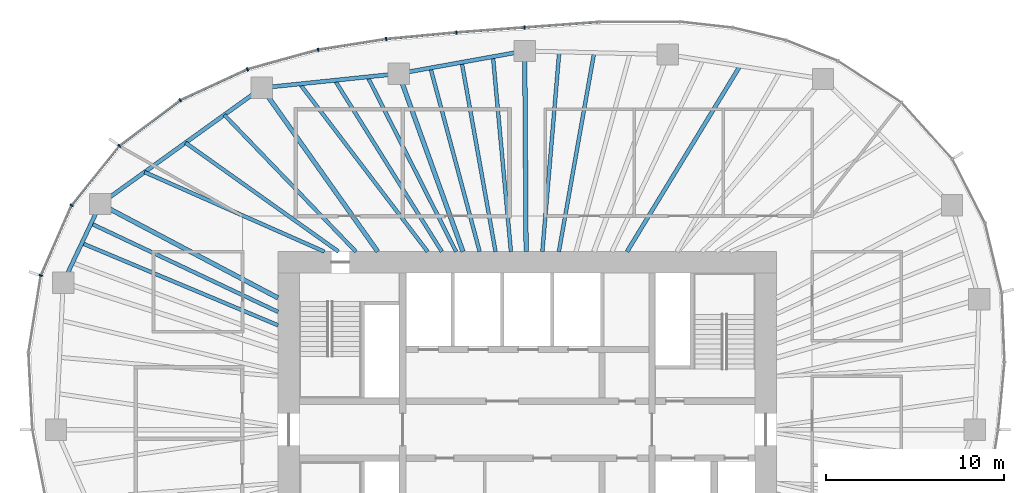
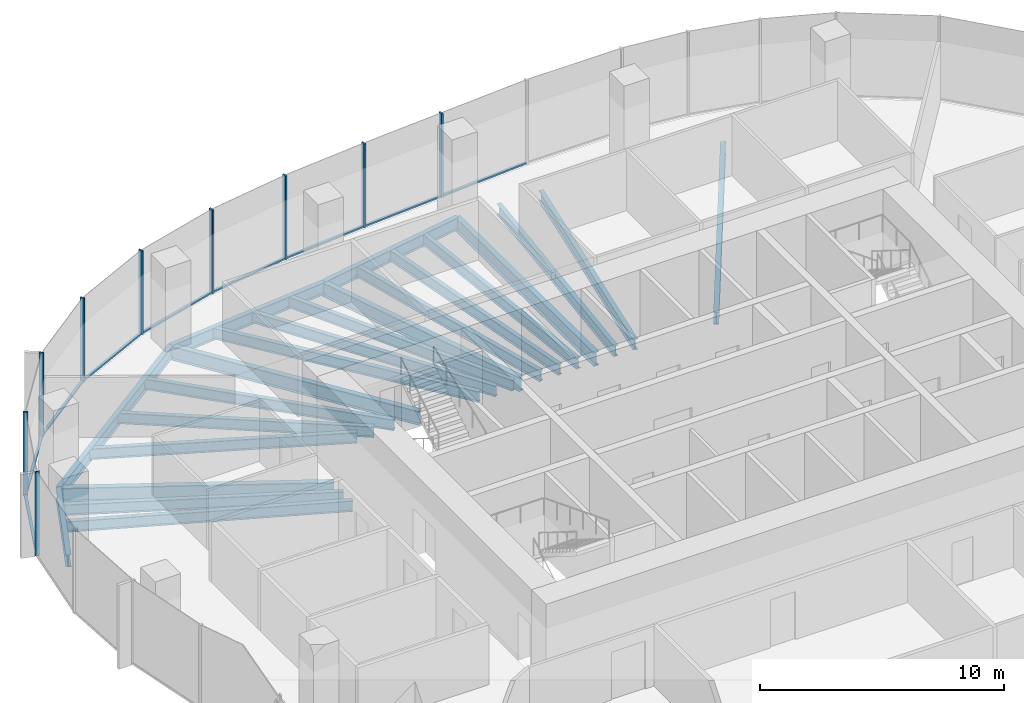
# One storey, part 5 of 11: 22 beams, 18 members, 6 elements without a shape of their own.
"""IFC4 building model written with IfcOpenShell, lengths in metres."""

from ifc_helpers import new_model, si_unit, direction, frame, origin, origin_2d, place, context, subcontext, project, spatial, rectangle, i_section, extrude, material, material_profile, profile_set, type_object, element, aggregate, save


model = new_model("IFC4")

# Units and contexts
model_context = context("Model", 3, precision=1e-05, world=origin(), true_north=direction((0.0, 1.0)))
body_context = subcontext(model_context, "Body", "Model", "MODEL_VIEW")
ifc_project = project(units=[si_unit("LENGTHUNIT", "METRE"), si_unit("AREAUNIT", "SQUARE_METRE"), si_unit("VOLUMEUNIT", "CUBIC_METRE"), si_unit("PLANEANGLEUNIT", "RADIAN"), si_unit("MASSUNIT", "GRAM", prefix="KILO")], contexts=[model_context])

# Site, building, storey
site_placement = place(None, origin())
site = spatial("IfcSite", under=ifc_project, at=site_placement, CompositionType="ELEMENT")
building_placement = place(site_placement, origin())
building = spatial("IfcBuilding", under=site, at=building_placement, Name="Ghaith Harvest Tower", CompositionType="ELEMENT")
storey_placement = place(building_placement, frame((0.0, 0.0, 245.199951171875)))
storey = spatial("IfcBuildingStorey", under=building, at=storey_placement, Name="L54", CompositionType="ELEMENT", Elevation=245.199951171875)

# Curtain wall, members
ifc_material_1 = material(Name="Black anodised aluminium and fritted glass", Category="aluminium")
curtain_wall_type = type_object("IfcCurtainWallType", Name="CW-H CURTAIN WALL", PredefinedType="NOTDEFINED", material=ifc_material_1)
curtain_wall_1_placement = place(storey_placement, origin())
curtain_wall_1 = element("IfcCurtainWall", 1, at=curtain_wall_1_placement, inside=storey, type_object=curtain_wall_type, Name="Curtain wall CW-H bay 06 L54", PredefinedType="NOTDEFINED")
ifc_material_2 = material(Name="Aluminium, black anodised", Category="aluminium")
ifc_material_profile_1 = material_profile(ifc_material_2, rectangle(XDim=0.080078125, YDim=0.199951171875, at=origin_2d()), Name="CW-H MULLION 80x200")
ifc_profile_set_1 = profile_set([ifc_material_profile_1], Name="Aluminium, black anodised")
member_type_1 = type_object("IfcMemberType", Name="CW-H MULLION 80x200", PredefinedType="MULLION", material=ifc_profile_set_1)
member_1_placement = place(storey_placement, frame((-0.154541015625, 22.590576171875, 0.0), z_axis=(0.0, 0.0, 1.0), x_axis=(-0.997329249665, -0.073036756239, 0.0)))
member_1 = element("IfcMember", 2, at=member_1_placement, type_object=member_type_1, Name="CW-H mullion 1 bay 06 L54", PredefinedType="MULLION", context=body_context, shape_type="SweptSolid", body=[
    extrude(rectangle(XDim=0.080078125, YDim=0.199951171875, at=origin_2d()), origin(), (0.0, 0.0, 1.0), 4.199951171875),
])
member_2_placement = place(storey_placement, frame((-3.984375, 22.310302734375, 0.0), z_axis=(0.0, 0.0, 1.0), x_axis=(-0.996522526822, -0.083323787336, 0.0)))
member_2 = element("IfcMember", 3, at=member_2_placement, type_object=member_type_1, Name="CW-H mullion 2 bay 06 L54", PredefinedType="MULLION", context=body_context, shape_type="SweptSolid", body=[
    extrude(rectangle(XDim=0.080078125, YDim=0.199951171875, at=origin_2d()), origin(), (0.0, 0.0, 1.0), 4.199951171875),
])

curtain_wall_2_placement = place(storey_placement, origin())
curtain_wall_2 = element("IfcCurtainWall", 4, at=curtain_wall_2_placement, inside=storey, type_object=curtain_wall_type, Name="Curtain wall CW-H bay 07 L54", PredefinedType="NOTDEFINED")
member_3_placement = place(storey_placement, frame((-7.924560546875, 21.94091796875, 0.0), z_axis=(0.0, 0.0, 1.0), x_axis=(-0.992235485325, -0.124373396119, 0.0)))
member_3 = element("IfcMember", 5, at=member_3_placement, type_object=member_type_1, Name="CW-H mullion 1 bay 07 L54", PredefinedType="MULLION", context=body_context, shape_type="SweptSolid", body=[
    extrude(rectangle(XDim=0.080078125, YDim=0.199951171875, at=origin_2d()), origin(), (0.0, 0.0, 1.0), 4.199951171875),
])
member_4_placement = place(storey_placement, frame((-11.75244140625, 21.336669921875, 0.0), z_axis=(0.0, 0.0, 1.0), x_axis=(-0.977086484172, -0.212842670646, 0.0)))
member_4 = element("IfcMember", 6, at=member_4_placement, type_object=member_type_1, Name="CW-H mullion 2 bay 07 L54", PredefinedType="MULLION", context=body_context, shape_type="SweptSolid", body=[
    extrude(rectangle(XDim=0.080078125, YDim=0.199951171875, at=origin_2d()), origin(), (0.0, 0.0, 1.0), 4.199951171875),
])

curtain_wall_3_placement = place(storey_placement, origin())
curtain_wall_3 = element("IfcCurtainWall", 7, at=curtain_wall_3_placement, inside=storey, type_object=curtain_wall_type, Name="Curtain wall CW-H bay 08 L54", PredefinedType="NOTDEFINED")
member_5_placement = place(storey_placement, frame((-15.720947265625, 20.242431640625, 0.0), z_axis=(0.0, 0.0, 1.0), x_axis=(-0.938930986476, -0.344105510906, 0.0)))
member_5 = element("IfcMember", 8, at=member_5_placement, type_object=member_type_1, Name="CW-H mullion 1 bay 08 L54", PredefinedType="MULLION", context=body_context, shape_type="SweptSolid", body=[
    extrude(rectangle(XDim=0.080078125, YDim=0.199951171875, at=origin_2d()), origin(), (0.0, 0.0, 1.0), 4.199951171875),
])
member_6_placement = place(storey_placement, frame((-19.4951171875, 18.4990234375, 0.0), z_axis=(0.0, 0.0, 1.0), x_axis=(-0.857998754004, -0.513651767376, 0.0)))
member_6 = element("IfcMember", 9, at=member_6_placement, type_object=member_type_1, Name="CW-H mullion 2 bay 08 L54", PredefinedType="MULLION", context=body_context, shape_type="SweptSolid", body=[
    extrude(rectangle(XDim=0.080078125, YDim=0.199951171875, at=origin_2d()), origin(), (0.0, 0.0, 1.0), 4.199951171875),
])

curtain_wall_4_placement = place(storey_placement, origin())
curtain_wall_4 = element("IfcCurtainWall", 10, at=curtain_wall_4_placement, inside=storey, type_object=curtain_wall_type, Name="Curtain wall CW-H bay 09 L54", PredefinedType="NOTDEFINED")
member_7_placement = place(storey_placement, frame((-22.908203125, 15.939697265625, 0.0), z_axis=(0.0, 0.0, 1.0), x_axis=(-0.719146135082, -0.694858860774, 0.0)))
member_7 = element("IfcMember", 11, at=member_7_placement, type_object=member_type_1, Name="CW-H mullion 1 bay 09 L54", PredefinedType="MULLION", context=body_context, shape_type="SweptSolid", body=[
    extrude(rectangle(XDim=0.080078125, YDim=0.199951171875, at=origin_2d()), origin(), (0.0, 0.0, 1.0), 4.199951171875),
])
member_8_placement = place(storey_placement, frame((-25.599609375, 12.6005859375, 0.0), z_axis=(0.0, 0.0, 1.0), x_axis=(-0.518769201232, -0.854914332464, 0.0)))
member_8 = element("IfcMember", 12, at=member_8_placement, type_object=member_type_1, Name="CW-H mullion 2 bay 09 L54", PredefinedType="MULLION", context=body_context, shape_type="SweptSolid", body=[
    extrude(rectangle(XDim=0.080078125, YDim=0.199951171875, at=origin_2d()), origin(), (0.0, 0.0, 1.0), 4.199951171875),
])

# Curtain wall, member
curtain_wall_5_placement = place(storey_placement, origin())
curtain_wall_5 = element("IfcCurtainWall", 13, at=curtain_wall_5_placement, inside=storey, type_object=curtain_wall_type, Name="Curtain wall CW-H bay 10 L54", PredefinedType="NOTDEFINED")
member_9_placement = place(storey_placement, frame((-27.32568359375, 8.659912109375, 0.0), z_axis=(0.0, 0.0, 1.0), x_axis=(-0.280520268431, -0.959848102045, 0.0)))
member_9 = element("IfcMember", 14, at=member_9_placement, type_object=member_type_1, Name="CW-H mullion 1 bay 10 L54", PredefinedType="MULLION", context=body_context, shape_type="SweptSolid", body=[
    extrude(rectangle(XDim=0.080078125, YDim=0.199951171875, at=origin_2d()), origin(), (0.0, 0.0, 1.0), 4.199951171875),
])
aggregate(curtain_wall_5, [member_9])

curtain_wall_6_placement = place(storey_placement, origin())
curtain_wall_6 = element("IfcCurtainWall", 15, at=curtain_wall_6_placement, inside=storey, type_object=curtain_wall_type, Name="Curtain wall CW-H bay 05 L54", PredefinedType="NOTDEFINED")
ifc_material_3 = material(Name="Aluminium, black anodised", Category="aluminium")
ifc_material_profile_2 = material_profile(ifc_material_3, rectangle(XDim=0.1298828125, YDim=0.080078125, at=origin_2d()), Name="CW-H TRANSOM 130x80")
ifc_profile_set_2 = profile_set([ifc_material_profile_2], Name="Aluminium, black anodised")
member_type_2 = type_object("IfcMemberType", Name="CW-H TRANSOM 130x80", PredefinedType="USERDEFINED", material=ifc_profile_set_2)
member_10_placement = place(storey_placement, frame((4.01953125, 22.896484375, 0.0400390625), z_axis=(-0.997325457985, -0.07308851384, 0.0), x_axis=(0.07308851384, -0.997325457985, 0.0)))
member_10 = element("IfcMember", 16, at=member_10_placement, type_object=member_type_2, Name="CW-H transom 2 bay 05 L54", ObjectType="TRANSOM", PredefinedType="USERDEFINED", context=body_context, shape_type="SweptSolid", body=[
    extrude(rectangle(XDim=0.1298828125, YDim=0.080078125, at=origin_2d()), origin(), (0.0, 0.0, 1.0), 4.145263671875),
])
aggregate(curtain_wall_6, [member_10])

# Member
member_11_placement = place(storey_placement, frame((-0.194580078125, 22.587646484375, 0.0400390625), z_axis=(-0.997332916649, -0.072986665689, 0.0), x_axis=(0.072986665689, -0.997332916649, 0.0)))
member_11 = element("IfcMember", 17, at=member_11_placement, type_object=member_type_2, Name="CW-H transom 1 bay 06 L54", ObjectType="TRANSOM", PredefinedType="USERDEFINED", context=body_context, shape_type="SweptSolid", body=[
    extrude(rectangle(XDim=0.1298828125, YDim=0.080078125, at=origin_2d()), origin(), (0.0, 0.0, 1.0), 3.759765625),
])

member_12_placement = place(storey_placement, frame((-4.024169921875, 22.306640625, 0.0400390625), z_axis=(-0.995631116984, -0.093373866217, 0.0), x_axis=(0.093373866217, -0.995631116984, 0.0)))
member_12 = element("IfcMember", 18, at=member_12_placement, type_object=member_type_2, Name="CW-H transom 2 bay 06 L54", ObjectType="TRANSOM", PredefinedType="USERDEFINED", context=body_context, shape_type="SweptSolid", body=[
    extrude(rectangle(XDim=0.1298828125, YDim=0.080078125, at=origin_2d()), origin(), (0.0, 0.0, 1.0), 3.87744140625),
])

aggregate(curtain_wall_1, [member_1, member_11, member_2, member_12])

member_13_placement = place(storey_placement, frame((-7.964111328125, 21.9345703125, 0.0400390625), z_axis=(-0.98776765914, -0.155932843097, 0.0), x_axis=(0.155932843097, -0.98776765914, 0.0)))
member_13 = element("IfcMember", 19, at=member_13_placement, type_object=member_type_2, Name="CW-H transom 1 bay 07 L54", ObjectType="TRANSOM", PredefinedType="USERDEFINED", context=body_context, shape_type="SweptSolid", body=[
    extrude(rectangle(XDim=0.1298828125, YDim=0.080078125, at=origin_2d()), origin(), (0.0, 0.0, 1.0), 3.795166015625),
])

member_14_placement = place(storey_placement, frame((-11.791015625, 21.325927734375, 0.0400390625), z_axis=(-0.964038584245, -0.265762315024, 0.0), x_axis=(0.265762315024, -0.964038584245, 0.0)))
member_14 = element("IfcMember", 20, at=member_14_placement, type_object=member_type_2, Name="CW-H transom 2 bay 07 L54", ObjectType="TRANSOM", PredefinedType="USERDEFINED", context=body_context, shape_type="SweptSolid", body=[
    extrude(rectangle(XDim=0.1298828125, YDim=0.080078125, at=origin_2d()), origin(), (0.0, 0.0, 1.0), 4.03662109375),
])

aggregate(curtain_wall_2, [member_3, member_13, member_4, member_14])

member_15_placement = place(storey_placement, frame((-15.75732421875, 20.2255859375, 0.0400390625), z_axis=(-0.907831404762, -0.419335355686, 0.0), x_axis=(0.419335355686, -0.907831404762, 0.0)))
member_15 = element("IfcMember", 21, at=member_15_placement, type_object=member_type_2, Name="CW-H transom 1 bay 08 L54", ObjectType="TRANSOM", PredefinedType="USERDEFINED", context=body_context, shape_type="SweptSolid", body=[
    extrude(rectangle(XDim=0.1298828125, YDim=0.080078125, at=origin_2d()), origin(), (0.0, 0.0, 1.0), 4.0771484375),
])

member_16_placement = place(storey_placement, frame((-19.527099609375, 18.47509765625, 0.0400390625), z_axis=(-0.800041988873, -0.599944010755, 0.0), x_axis=(0.599944010755, -0.800041988873, 0.0)))
member_16 = element("IfcMember", 22, at=member_16_placement, type_object=member_type_2, Name="CW-H transom 2 bay 08 L54", ObjectType="TRANSOM", PredefinedType="USERDEFINED", context=body_context, shape_type="SweptSolid", body=[
    extrude(rectangle(XDim=0.1298828125, YDim=0.080078125, at=origin_2d()), origin(), (0.0, 0.0, 1.0), 4.186279296875),
])

aggregate(curtain_wall_3, [member_5, member_15, member_6, member_16])

member_17_placement = place(storey_placement, frame((-22.933349609375, 15.90869140625, 0.0400390625), z_axis=(-0.6275347306, -0.778588570357, 0.0), x_axis=(0.778588570357, -0.6275347306, 0.0)))
member_17 = element("IfcMember", 23, at=member_17_placement, type_object=member_type_2, Name="CW-H transom 1 bay 09 L54", ObjectType="TRANSOM", PredefinedType="USERDEFINED", context=body_context, shape_type="SweptSolid", body=[
    extrude(rectangle(XDim=0.1298828125, YDim=0.080078125, at=origin_2d()), origin(), (0.0, 0.0, 1.0), 4.208740234375),
])

member_18_placement = place(storey_placement, frame((-25.61572265625, 12.56396484375, 0.0400390625), z_axis=(-0.401185844746, -0.915996680112, 0.0), x_axis=(0.915996680112, -0.401185844746, 0.0)))
member_18 = element("IfcMember", 24, at=member_18_placement, type_object=member_type_2, Name="CW-H transom 2 bay 09 L54", ObjectType="TRANSOM", PredefinedType="USERDEFINED", context=body_context, shape_type="SweptSolid", body=[
    extrude(rectangle(XDim=0.1298828125, YDim=0.080078125, at=origin_2d()), origin(), (0.0, 0.0, 1.0), 4.22216796875),
])

aggregate(curtain_wall_4, [member_7, member_17, member_8, member_18])

# Beams
ifc_material_4 = material(Name="Steel ASTM A992 Grade 50", Category="steel")
ifc_material_profile_3 = material_profile(ifc_material_4, i_section(OverallWidth=0.22900390625, OverallDepth=0.612060546875, WebThickness=0.011962890625, FlangeThickness=0.01953125, at=origin_2d()), Name="W610X125")
ifc_profile_set_3 = profile_set([ifc_material_profile_3], Name="Steel ASTM A992 Grade 50")
beam_type_1 = type_object("IfcBeamType", Name="E610-125 W610X125", PredefinedType="SPANDREL", material=ifc_profile_set_3)
beam_1_placement = place(storey_placement, frame((-0.14599609375, 21.27099609375, -0.475830078125), z_axis=(-0.984177047684, -0.177187863051, 0.0), x_axis=(0.177187863051, -0.984177047684, 0.0)))
element("IfcBeam", 25, at=beam_1_placement, inside=storey, type_object=beam_type_1, Name="Edge beam E06 L54", PredefinedType="SPANDREL", context=body_context, shape_type="SweptSolid", body=[
    extrude(i_section(OverallWidth=0.22900390625, OverallDepth=0.612060546875, WebThickness=0.011962890625, FlangeThickness=0.01953125, at=origin_2d()), origin(), (0.0, 0.0, 1.0), 7.189697265625),
])
beam_2_placement = place(storey_placement, frame((-7.221923828125, 19.9970703125, -0.475830078125), z_axis=(-0.994669141618, -0.103117887451, 0.0), x_axis=(0.103117887451, -0.994669141618, 0.0)))
element("IfcBeam", 26, at=beam_2_placement, inside=storey, type_object=beam_type_1, Name="Edge beam E07 L54", PredefinedType="SPANDREL", context=body_context, shape_type="SweptSolid", body=[
    extrude(i_section(OverallWidth=0.22900390625, OverallDepth=0.612060546875, WebThickness=0.011962890625, FlangeThickness=0.01953125, at=origin_2d()), origin(), (0.0, 0.0, 1.0), 7.730224609375),
])
beam_3_placement = place(storey_placement, frame((-14.910888671875, 19.199951171875, -0.475830078125), z_axis=(-0.812050311838, -0.583587432219, 0.0), x_axis=(0.583587432219, -0.812050311838, 0.0)))
element("IfcBeam", 27, at=beam_3_placement, inside=storey, type_object=beam_type_1, Name="Edge beam E08 L54", PredefinedType="SPANDREL", context=body_context, shape_type="SweptSolid", body=[
    extrude(i_section(OverallWidth=0.22900390625, OverallDepth=0.612060546875, WebThickness=0.011962890625, FlangeThickness=0.01953125, at=origin_2d()), origin(), (0.0, 0.0, 1.0), 11.175537109375),
])
beam_4_placement = place(storey_placement, frame((-23.986083984375, 12.677978515625, -0.475830078125), z_axis=(-0.426170247297, -0.904642979478, 0.0), x_axis=(0.904642979478, -0.426170247297, 0.0)))
element("IfcBeam", 28, at=beam_4_placement, inside=storey, type_object=beam_type_1, Name="Edge beam E09 L54", PredefinedType="SPANDREL", context=body_context, shape_type="SweptSolid", body=[
    extrude(i_section(OverallWidth=0.22900390625, OverallDepth=0.612060546875, WebThickness=0.011962890625, FlangeThickness=0.01953125, at=origin_2d()), origin(), (0.0, 0.0, 1.0), 4.882568359375),
])
ifc_material_5 = material(Name="Steel ASTM A992 Grade 50", Category="steel")
ifc_material_profile_4 = material_profile(ifc_material_5, i_section(OverallWidth=0.256103515625, OverallDepth=0.693115234375, WebThickness=0.014404296875, FlangeThickness=0.023681640625, at=origin_2d()), Name="W690X170")
ifc_profile_set_4 = profile_set([ifc_material_profile_4], Name="Steel ASTM A992 Grade 50")
beam_type_2 = type_object("IfcBeamType", Name="G690-170 W690X170", PredefinedType="BEAM", material=ifc_profile_set_4)
beam_5_placement = place(storey_placement, frame((-0.068359375, 10.0, -0.516357421875), z_axis=(-0.006888022705, 0.99997627729, 0.0), x_axis=(-0.99997627729, -0.006888022705, 0.0)))
element("IfcBeam", 29, at=beam_5_placement, inside=storey, type_object=beam_type_2, Name="Radial girder G06 L54", PredefinedType="BEAM", context=body_context, shape_type="SweptSolid", body=[
    extrude(i_section(OverallWidth=0.256103515625, OverallDepth=0.693115234375, WebThickness=0.014404296875, FlangeThickness=0.023681640625, at=origin_2d()), origin(), (0.0, 0.0, 1.0), 11.271240234375),
])
beam_6_placement = place(storey_placement, frame((-3.61181640625, 10.0, -0.516357421875), z_axis=(-0.339648979266, 0.940552269086, 0.0), x_axis=(-0.940552269086, -0.339648979266, 0.0)))
element("IfcBeam", 30, at=beam_6_placement, inside=storey, type_object=beam_type_2, Name="Radial girder G07 L54", PredefinedType="BEAM", context=body_context, shape_type="SweptSolid", body=[
    extrude(i_section(OverallWidth=0.256103515625, OverallDepth=0.693115234375, WebThickness=0.014404296875, FlangeThickness=0.023681640625, at=origin_2d()), origin(), (0.0, 0.0, 1.0), 10.62890625),
])
beam_7_placement = place(storey_placement, frame((-8.39990234375, 10.0, -0.516357421875), z_axis=(-0.577683734365, 0.816260683268, 0.0), x_axis=(-0.816260683268, -0.577683734365, 0.0)))
element("IfcBeam", 31, at=beam_7_placement, inside=storey, type_object=beam_type_2, Name="Radial girder G08 L54", PredefinedType="BEAM", context=body_context, shape_type="SweptSolid", body=[
    extrude(i_section(OverallWidth=0.256103515625, OverallDepth=0.693115234375, WebThickness=0.014404296875, FlangeThickness=0.023681640625, at=origin_2d()), origin(), (0.0, 0.0, 1.0), 11.270751953125),
])
beam_8_placement = place(storey_placement, frame((-14.0, 7.39990234375, -0.516357421875), z_axis=(-0.884105273337, 0.467287776062, 0.0), x_axis=(-0.467287776062, -0.884105273337, 0.0)))
element("IfcBeam", 32, at=beam_8_placement, inside=storey, type_object=beam_type_2, Name="Radial girder G09 L54", PredefinedType="BEAM", context=body_context, shape_type="SweptSolid", body=[
    extrude(i_section(OverallWidth=0.256103515625, OverallDepth=0.693115234375, WebThickness=0.014404296875, FlangeThickness=0.023681640625, at=origin_2d()), origin(), (0.0, 0.0, 1.0), 11.295166015625),
])
ifc_material_6 = material(Name="Steel ASTM A992 Grade 50", Category="steel")
ifc_material_profile_5 = material_profile(ifc_material_6, i_section(OverallWidth=0.2109375, OverallDepth=0.5390625, WebThickness=0.01171875, FlangeThickness=0.018798828125, at=origin_2d()), Name="W530X109")
ifc_profile_set_5 = profile_set([ifc_material_profile_5], Name="Steel ASTM A992 Grade 50")
beam_type_3 = type_object("IfcBeamType", Name="J530-109 W530X109", PredefinedType="JOIST", material=ifc_profile_set_5)
beam_9_placement = place(storey_placement, frame((1.772705078125, 10.0, -0.439453125), z_axis=(0.17455599258, 0.984647249249, 0.0), x_axis=(-0.984647249249, 0.17455599258, 0.0)))
element("IfcBeam", 33, at=beam_9_placement, inside=storey, type_object=beam_type_3, Name="Joist J05.2 L54", PredefinedType="JOIST", context=body_context, shape_type="SweptSolid", body=[
    extrude(i_section(OverallWidth=0.2109375, OverallDepth=0.5390625, WebThickness=0.01171875, FlangeThickness=0.018798828125, at=origin_2d()), origin(), (0.0, 0.0, 1.0), 11.3486328125),
])
beam_10_placement = place(storey_placement, frame((0.844970703125, 10.0, -0.439453125), z_axis=(0.084213263804, 0.996447753873, 0.0), x_axis=(-0.996447753873, 0.084213263804, 0.0)))
element("IfcBeam", 34, at=beam_10_placement, inside=storey, type_object=beam_type_3, Name="Joist J05.3 L54", PredefinedType="JOIST", context=body_context, shape_type="SweptSolid", body=[
    extrude(i_section(OverallWidth=0.2109375, OverallDepth=0.5390625, WebThickness=0.01171875, FlangeThickness=0.018798828125, at=origin_2d()), origin(), (0.0, 0.0, 1.0), 11.262939453125),
])
beam_11_placement = place(storey_placement, frame((-0.92041015625, 10.0, -0.439453125), z_axis=(-0.091648687045, 0.995791402937, 0.0), x_axis=(-0.995791402937, -0.091648687045, 0.0)))
element("IfcBeam", 35, at=beam_11_placement, inside=storey, type_object=beam_type_3, Name="Joist J06.1 L54", PredefinedType="JOIST", context=body_context, shape_type="SweptSolid", body=[
    extrude(i_section(OverallWidth=0.2109375, OverallDepth=0.5390625, WebThickness=0.01171875, FlangeThickness=0.018798828125, at=origin_2d()), origin(), (0.0, 0.0, 1.0), 10.99658203125),
])
beam_12_placement = place(storey_placement, frame((-1.785888671875, 10.0, -0.439453125), z_axis=(-0.175793767479, 0.984427016754, 0.0), x_axis=(-0.984427016754, -0.175793767479, 0.0)))
element("IfcBeam", 36, at=beam_12_placement, inside=storey, type_object=beam_type_3, Name="Joist J06.2 L54", PredefinedType="JOIST", context=body_context, shape_type="SweptSolid", body=[
    extrude(i_section(OverallWidth=0.2109375, OverallDepth=0.5390625, WebThickness=0.01171875, FlangeThickness=0.018798828125, at=origin_2d()), origin(), (0.0, 0.0, 1.0), 10.802001953125),
])
beam_13_placement = place(storey_placement, frame((-2.677978515625, 10.0, -0.439453125), z_axis=(-0.258674007994, 0.965964677195, 0.0), x_axis=(-0.965964677195, -0.258674007994, 0.0)))
element("IfcBeam", 37, at=beam_13_placement, inside=storey, type_object=beam_type_3, Name="Joist J06.3 L54", PredefinedType="JOIST", context=body_context, shape_type="SweptSolid", body=[
    extrude(i_section(OverallWidth=0.2109375, OverallDepth=0.5390625, WebThickness=0.01171875, FlangeThickness=0.018798828125, at=origin_2d()), origin(), (0.0, 0.0, 1.0), 10.68115234375),
])
beam_14_placement = place(storey_placement, frame((-4.0, 10.0, -0.439453125), z_axis=(-0.451646219201, 0.892197115374, 0.0), x_axis=(-0.892197115374, -0.451646219201, 0.0)))
element("IfcBeam", 38, at=beam_14_placement, inside=storey, type_object=beam_type_3, Name="Joist J07.1 L54", PredefinedType="JOIST", context=body_context, shape_type="SweptSolid", body=[
    extrude(i_section(OverallWidth=0.2109375, OverallDepth=0.5390625, WebThickness=0.01171875, FlangeThickness=0.018798828125, at=origin_2d()), origin(), (0.0, 0.0, 1.0), 11.001953125),
])
beam_15_placement = place(storey_placement, frame((-4.800048828125, 10.0, -0.439453125), z_axis=(-0.529627564093, 0.848230300893, 0.0), x_axis=(-0.848230300893, -0.529627564093, 0.0)))
element("IfcBeam", 39, at=beam_15_placement, inside=storey, type_object=beam_type_3, Name="Joist J07.2 L54", PredefinedType="JOIST", context=body_context, shape_type="SweptSolid", body=[
    extrude(i_section(OverallWidth=0.2109375, OverallDepth=0.5390625, WebThickness=0.01171875, FlangeThickness=0.018798828125, at=origin_2d()), origin(), (0.0, 0.0, 1.0), 11.34716796875),
])
beam_16_placement = place(storey_placement, frame((-5.60009765625, 10.0, -0.439453125), z_axis=(-0.605976135502, 0.795482823952, 0.0), x_axis=(-0.795482823952, -0.605976135502, 0.0)))
element("IfcBeam", 40, at=beam_16_placement, inside=storey, type_object=beam_type_3, Name="Joist J07.3 L54", PredefinedType="JOIST", context=body_context, shape_type="SweptSolid", body=[
    extrude(i_section(OverallWidth=0.2109375, OverallDepth=0.5390625, WebThickness=0.01171875, FlangeThickness=0.018798828125, at=origin_2d()), origin(), (0.0, 0.0, 1.0), 11.84326171875),
])
beam_17_placement = place(storey_placement, frame((-9.626708984375, 10.0, -0.439453125), z_axis=(-0.69354049188, 0.720417647009, 0.0), x_axis=(-0.720417647009, -0.69354049188, 0.0)))
element("IfcBeam", 41, at=beam_17_placement, inside=storey, type_object=beam_type_3, Name="Joist J08.1 L54", PredefinedType="JOIST", context=body_context, shape_type="SweptSolid", body=[
    extrude(i_section(OverallWidth=0.2109375, OverallDepth=0.5390625, WebThickness=0.01171875, FlangeThickness=0.018798828125, at=origin_2d()), origin(), (0.0, 0.0, 1.0), 10.6640625),
])
beam_18_placement = place(storey_placement, frame((-10.60009765625, 10.0, -0.439453125), z_axis=(-0.814837070547, 0.579690045164, 0.0), x_axis=(-0.579690045164, -0.814837070547, 0.0)))
element("IfcBeam", 42, at=beam_18_placement, inside=storey, type_object=beam_type_3, Name="Joist J08.2 L54", PredefinedType="JOIST", context=body_context, shape_type="SweptSolid", body=[
    extrude(i_section(OverallWidth=0.2109375, OverallDepth=0.5390625, WebThickness=0.01171875, FlangeThickness=0.018798828125, at=origin_2d()), origin(), (0.0, 0.0, 1.0), 10.5537109375),
])
beam_19_placement = place(storey_placement, frame((-11.39990234375, 10.0, -0.439453125), z_axis=(-0.914561290029, 0.40444733499, 0.0), x_axis=(-0.40444733499, -0.914561290029, 0.0)))
element("IfcBeam", 43, at=beam_19_placement, inside=storey, type_object=beam_type_3, Name="Joist J08.3 L54", PredefinedType="JOIST", context=body_context, shape_type="SweptSolid", body=[
    extrude(i_section(OverallWidth=0.2109375, OverallDepth=0.5390625, WebThickness=0.01171875, FlangeThickness=0.018798828125, at=origin_2d()), origin(), (0.0, 0.0, 1.0), 11.041748046875),
])
beam_20_placement = place(storey_placement, frame((-14.0, 6.614990234375, -0.439453125), z_axis=(-0.904154184779, 0.427206285238, 0.0), x_axis=(-0.427206285238, -0.904154184779, 0.0)))
element("IfcBeam", 44, at=beam_20_placement, inside=storey, type_object=beam_type_3, Name="Joist J09.1 L54", PredefinedType="JOIST", context=body_context, shape_type="SweptSolid", body=[
    extrude(i_section(OverallWidth=0.2109375, OverallDepth=0.5390625, WebThickness=0.01171875, FlangeThickness=0.018798828125, at=origin_2d()), origin(), (0.0, 0.0, 1.0), 11.61767578125),
])
beam_21_placement = place(storey_placement, frame((-14.0, 5.862548828125, -0.439453125), z_axis=(-0.922380898158, 0.386281605455, 0.0), x_axis=(-0.386281605455, -0.922380898158, 0.0)))
element("IfcBeam", 45, at=beam_21_placement, inside=storey, type_object=beam_type_3, Name="Joist J09.2 L54", PredefinedType="JOIST", context=body_context, shape_type="SweptSolid", body=[
    extrude(i_section(OverallWidth=0.2109375, OverallDepth=0.5390625, WebThickness=0.01171875, FlangeThickness=0.018798828125, at=origin_2d()), origin(), (0.0, 0.0, 1.0), 11.94970703125),
])
ifc_material_7 = material(Name="Steel ASTM A992 Grade 50", Category="steel")
ifc_material_profile_6 = material_profile(ifc_material_7, i_section(OverallWidth=0.22900390625, OverallDepth=0.612060546875, WebThickness=0.011962890625, FlangeThickness=0.01953125, at=origin_2d()), Name="W610X125")
ifc_profile_set_6 = profile_set([ifc_material_profile_6], Name="Steel ASTM A992 Grade 50")
beam_type_4 = type_object("IfcBeamType", Name="J610-125 W610X125", PredefinedType="JOIST", material=ifc_profile_set_6)
beam_22_placement = place(storey_placement, frame((5.60009765625, 10.0, -0.475830078125), z_axis=(0.519863845761, 0.854249133374, 0.0), x_axis=(-0.854249133374, 0.519863845761, 0.0)))
element("IfcBeam", 46, at=beam_22_placement, inside=storey, type_object=beam_type_4, Name="Joist J04.2 L54", PredefinedType="JOIST", context=body_context, shape_type="SweptSolid", body=[
    extrude(i_section(OverallWidth=0.22900390625, OverallDepth=0.612060546875, WebThickness=0.011962890625, FlangeThickness=0.01953125, at=origin_2d()), origin(), (0.0, 0.0, 1.0), 12.209716796875),
])

save(model, "model.ifc")
